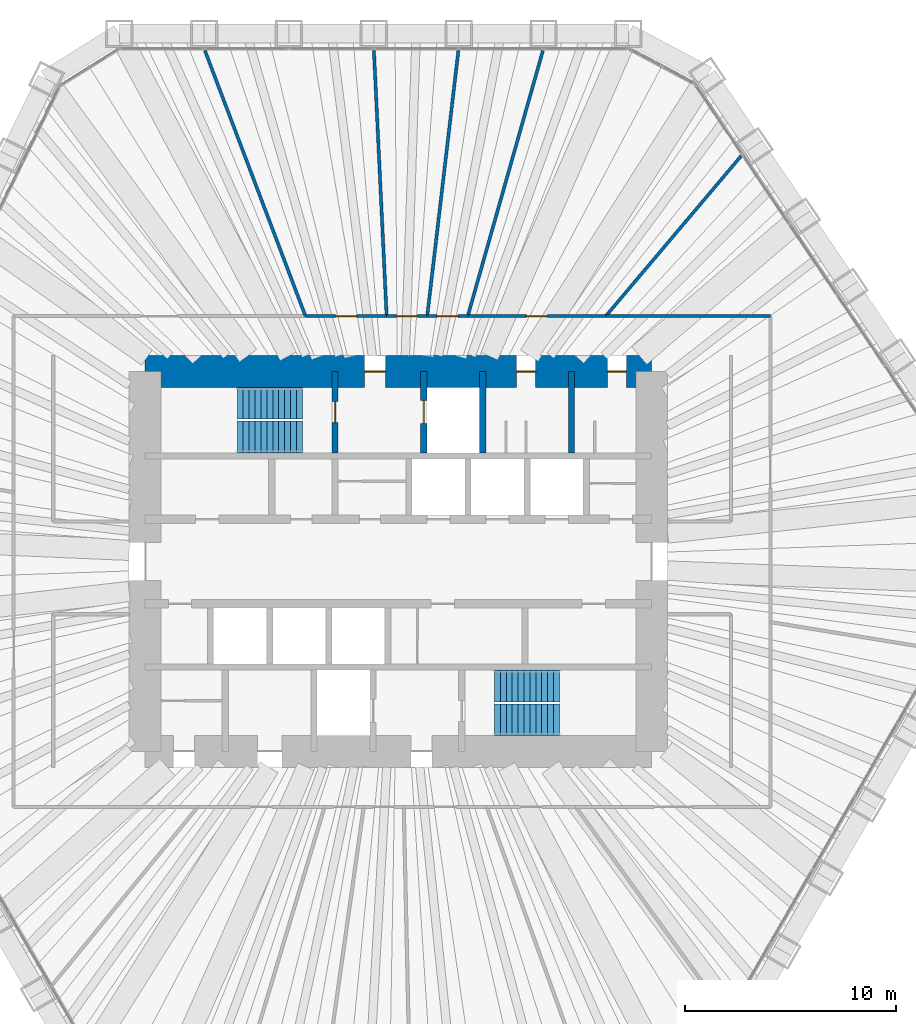
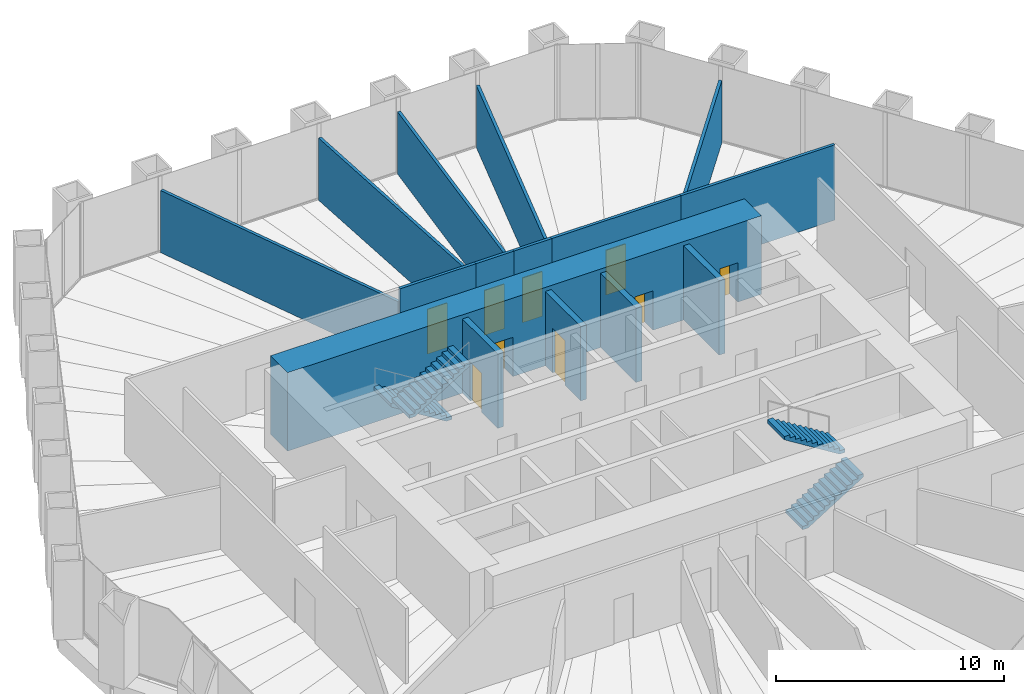
# One storey, part 11 of 12: 15 walls, 9 doors, 4 stair flights, 9 openings, 2 elements without a shape of their own.
"""IFC4 building model written with IfcOpenShell, lengths in metres."""

from ifc_helpers import new_model, si_unit, direction, frame, frame_2d, origin, place, context, subcontext, project, spatial, polyline, rectangle, outline, extrude, material, layer, layer_set, type_object, element, fill, aggregate, save


model = new_model("IFC4")

# Units and contexts
model_context = context("Model", 3, precision=1e-05, world=origin(), true_north=direction((0.0, 1.0)))
body_context = subcontext(model_context, "Body", "Model", "MODEL_VIEW")
ifc_project = project(units=[si_unit("LENGTHUNIT", "METRE"), si_unit("AREAUNIT", "SQUARE_METRE"), si_unit("VOLUMEUNIT", "CUBIC_METRE"), si_unit("PLANEANGLEUNIT", "RADIAN"), si_unit("MASSUNIT", "GRAM", prefix="KILO")], contexts=[model_context])

# Site, building, storey
site_placement = place(None, origin())
site = spatial("IfcSite", under=ifc_project, at=site_placement, CompositionType="ELEMENT")
building_placement = place(site_placement, origin())
building = spatial("IfcBuilding", under=site, at=building_placement, Name="Qingtian Harvest Tower", CompositionType="ELEMENT")
storey_placement = place(building_placement, frame((0.0, 0.0, 107.199951171875)))
storey = spatial("IfcBuildingStorey", under=building, at=storey_placement, Name="L21", CompositionType="ELEMENT", Elevation=107.199951171875)

# Wall, opening, door
ifc_material_1 = material(Name="Precast concrete shaft panel", Category="concrete")
ifc_layer_1 = layer(ifc_material_1, 0.300048828125)
ifc_layer_set_1 = layer_set([ifc_layer_1], Name="Core shaft partition SW1 300")
wall_type_1 = type_object("IfcWallType", Name="Core shaft partition SW1 300", PredefinedType="PARTITIONING", material=ifc_layer_set_1)
wall_1_placement = place(storey_placement, frame((-3.0, 5.14990234375, 0.0), z_axis=(0.0, 0.0, 1.0), x_axis=(0.0, 1.0, 0.0)))
wall_1 = element("IfcWall", 1, at=wall_1_placement, inside=storey, type_object=wall_type_1, Name="Core shaft partition XN1 L21", PredefinedType="PARTITIONING", context=body_context, shape_type="SweptSolid", body=[
    extrude(rectangle(XDim=3.85009765625, YDim=0.300048828125, at=frame_2d((1.925048828125, 0.0))), origin(), (0.0, 0.0, 1.0), 3.97998046875),
])
opening_1_placement = place(wall_1_placement, frame((1.425048828125, 0.0, 0.0)))
opening_1 = element("IfcOpeningElement", 2, at=opening_1_placement, cuts=wall_1, Name="Opening FD1", PredefinedType="OPENING", context=body_context, shape_type="SweptSolid", body=[
    extrude(rectangle(XDim=1.0, YDim=2.10009765625, at=frame_2d((0.5, 1.050048828125))), frame((0.0, 0.159912109375, 0.0), z_axis=(0.0, -1.0, 0.0), x_axis=(1.0, 0.0, 0.0)), (0.0, 0.0, 1.0), 0.320068359375),
])
ifc_material_2 = material(Name="Steel-faced door leaf", Category="steel")
door_type_1 = type_object("IfcDoorType", Name="Fire door FD1 single 1 HR", OperationType="SINGLE_SWING_LEFT", PredefinedType="DOOR", material=ifc_material_2)
door_1_placement = place(opening_1_placement, origin())
door_1 = element("IfcDoor", 3, at=door_1_placement, inside=storey, type_object=door_type_1, Name="S1 door L21", OperationType="SINGLE_SWING_RIGHT", OverallHeight=2.10009765625, OverallWidth=1.0, PredefinedType="DOOR", context=body_context, shape_type="SweptSolid", body=[
    extrude(rectangle(XDim=1.0, YDim=2.10009765625, at=frame_2d((0.5, 1.050048828125))), frame((0.0, 0.02490234375, 0.0), z_axis=(0.0, -1.0, 0.0), x_axis=(1.0, 0.0, 0.0)), (0.0, 0.0, 1.0), 0.050048828125),
])
fill(opening_1, door_1)

wall_2_placement = place(storey_placement, frame((1.199951171875, 5.14990234375, 0.0), z_axis=(0.0, 0.0, 1.0), x_axis=(0.0, 1.0, 0.0)))
wall_2 = element("IfcWall", 4, at=wall_2_placement, inside=storey, type_object=wall_type_1, Name="Core shaft partition XN2 L21", PredefinedType="PARTITIONING", context=body_context, shape_type="SweptSolid", body=[
    extrude(rectangle(XDim=3.85009765625, YDim=0.300048828125, at=frame_2d((1.925048828125, 0.0))), origin(), (0.0, 0.0, 1.0), 3.97998046875),
])
opening_2_placement = place(wall_2_placement, frame((1.375, 0.0, 0.0)))
opening_2 = element("IfcOpeningElement", 5, at=opening_2_placement, cuts=wall_2, Name="Opening LD1", PredefinedType="OPENING", context=body_context, shape_type="SweptSolid", body=[
    extrude(rectangle(XDim=1.10009765625, YDim=2.39990234375, at=frame_2d((0.550048828125, 1.199951171875))), frame((0.0, 0.159912109375, 0.0), z_axis=(0.0, -1.0, 0.0), x_axis=(1.0, 0.0, 0.0)), (0.0, 0.0, 1.0), 0.320068359375),
])
ifc_material_3 = material(Name="Stainless steel lift landing door", Category="steel")
door_type_2 = type_object("IfcDoorType", Name="Lift landing door LD1 1 HR", OperationType="DOUBLE_DOOR_SLIDING", PredefinedType="DOOR", material=ifc_material_3)
door_2_placement = place(opening_2_placement, origin())
door_2 = element("IfcDoor", 6, at=door_2_placement, inside=storey, type_object=door_type_2, Name="FL1 landing door L21", OperationType="DOUBLE_DOOR_SLIDING", OverallHeight=2.39990234375, OverallWidth=1.10009765625, PredefinedType="DOOR", context=body_context, shape_type="SweptSolid", body=[
    extrude(rectangle(XDim=1.10009765625, YDim=2.39990234375, at=frame_2d((0.550048828125, 1.199951171875))), frame((0.0, 0.02490234375, 0.0), z_axis=(0.0, -1.0, 0.0), x_axis=(1.0, 0.0, 0.0)), (0.0, 0.0, 1.0), 0.050048828125),
])
fill(opening_2, door_2)

# Walls
for number, where, z_axis, x_axis, name in (
    (7, (4.0, 5.14990234375, 0.0), (0.0, 0.0, 1.0), (0.0, 1.0, 0.0), "Core shaft partition XN3 L21"),
    (8, (8.199951171875, 5.14990234375, 0.0), (0.0, 0.0, 1.0), (0.0, 1.0, 0.0), "Core shaft partition XN4 L21"),
):
    element("IfcWall", number, at=place(storey_placement, frame(where, z_axis=z_axis, x_axis=x_axis)), inside=storey, type_object=wall_type_1, Name=name, PredefinedType="PARTITIONING", context=body_context, shape_type="SweptSolid", body=[
        extrude(rectangle(XDim=3.85009765625, YDim=0.300048828125, at=frame_2d((1.925048828125, 0.0))), origin(), (0.0, 0.0, 1.0), 3.97998046875),
    ])

# Wall, openings, doors
ifc_material_4 = material(Name="Concrete fc' 70 MPa", Category="concrete")
ifc_layer_2 = layer(ifc_material_4, 1.5)
ifc_layer_set_2 = layer_set([ifc_layer_2], Name="Core wall RC1 1500")
wall_type_2 = type_object("IfcWallType", Name="Core wall RC1 1500", PredefinedType="SHEAR", material=ifc_layer_set_2)
wall_3_placement = place(storey_placement, frame((-12.0, 9.0, 0.0), z_axis=(0.0, 0.0, 1.0), x_axis=(1.0, 0.0, 0.0)))
wall_3 = element("IfcWall", 9, at=wall_3_placement, inside=storey, type_object=wall_type_2, Name="Core wall CN L21", PredefinedType="SHEAR", context=body_context, shape_type="SweptSolid", body=[
    extrude(rectangle(XDim=24.0, YDim=1.5, at=frame_2d((12.0, 0.0))), origin(), (0.0, 0.0, 1.0), 4.199951171875),
])
opening_3_placement = place(wall_3_placement, frame((10.39990234375, 0.0, 0.0)))
opening_3 = element("IfcOpeningElement", 10, at=opening_3_placement, cuts=wall_3, Name="Opening FD1", PredefinedType="OPENING", context=body_context, shape_type="SweptSolid", body=[
    extrude(rectangle(XDim=1.0, YDim=2.10009765625, at=frame_2d((0.5, 1.050048828125))), frame((0.0, 0.760009765625, 0.0), z_axis=(0.0, -1.0, 0.0), x_axis=(1.0, 0.0, 0.0)), (0.0, 0.0, 1.0), 1.52001953125),
])
opening_4_placement = place(wall_3_placement, frame((17.60009765625, 0.0, 0.0)))
opening_4 = element("IfcOpeningElement", 11, at=opening_4_placement, cuts=wall_3, Name="Opening D1", PredefinedType="OPENING", context=body_context, shape_type="SweptSolid", body=[
    extrude(rectangle(XDim=0.89990234375, YDim=2.10009765625, at=frame_2d((0.449951171875, 1.050048828125))), frame((0.0, 0.760009765625, 0.0), z_axis=(0.0, -1.0, 0.0), x_axis=(1.0, 0.0, 0.0)), (0.0, 0.0, 1.0), 1.52001953125),
])
opening_5_placement = place(wall_3_placement, frame((21.89990234375, 0.0, 0.0)))
opening_5 = element("IfcOpeningElement", 12, at=opening_5_placement, cuts=wall_3, Name="Opening D1", PredefinedType="OPENING", context=body_context, shape_type="SweptSolid", body=[
    extrude(rectangle(XDim=0.89990234375, YDim=2.10009765625, at=frame_2d((0.449951171875, 1.050048828125))), frame((0.0, 0.760009765625, 0.0), z_axis=(0.0, -1.0, 0.0), x_axis=(1.0, 0.0, 0.0)), (0.0, 0.0, 1.0), 1.52001953125),
])
door_3_placement = place(opening_3_placement, origin())
door_3 = element("IfcDoor", 13, at=door_3_placement, inside=storey, type_object=door_type_1, Name="V1 door L21", OperationType="SINGLE_SWING_LEFT", OverallHeight=2.10009765625, OverallWidth=1.0, PredefinedType="DOOR", context=body_context, shape_type="SweptSolid", body=[
    extrude(rectangle(XDim=1.0, YDim=2.10009765625, at=frame_2d((0.5, 1.050048828125))), frame((0.0, 0.02490234375, 0.0), z_axis=(0.0, -1.0, 0.0), x_axis=(1.0, 0.0, 0.0)), (0.0, 0.0, 1.0), 0.050048828125),
])
fill(opening_3, door_3)
ifc_material_5 = material(Name="Laminated timber door leaf", Category="wood")
door_type_3 = type_object("IfcDoorType", Name="Toilet door D1 single", OperationType="SINGLE_SWING_LEFT", PredefinedType="DOOR", material=ifc_material_5)
door_4_placement = place(opening_4_placement, origin())
door_4 = element("IfcDoor", 14, at=door_4_placement, inside=storey, type_object=door_type_3, Name="WCM door L21", OperationType="SINGLE_SWING_RIGHT", OverallHeight=2.10009765625, OverallWidth=0.89990234375, PredefinedType="DOOR", context=body_context, shape_type="SweptSolid", body=[
    extrude(rectangle(XDim=0.89990234375, YDim=2.10009765625, at=frame_2d((0.449951171875, 1.050048828125))), frame((0.0, 0.02490234375, 0.0), z_axis=(0.0, -1.0, 0.0), x_axis=(1.0, 0.0, 0.0)), (0.0, 0.0, 1.0), 0.050048828125),
])
fill(opening_4, door_4)
door_5_placement = place(opening_5_placement, origin())
door_5 = element("IfcDoor", 15, at=door_5_placement, inside=storey, type_object=door_type_3, Name="WCF door L21", OperationType="SINGLE_SWING_RIGHT", OverallHeight=2.10009765625, OverallWidth=0.89990234375, PredefinedType="DOOR", context=body_context, shape_type="SweptSolid", body=[
    extrude(rectangle(XDim=0.89990234375, YDim=2.10009765625, at=frame_2d((0.449951171875, 1.050048828125))), frame((0.0, 0.02490234375, 0.0), z_axis=(0.0, -1.0, 0.0), x_axis=(1.0, 0.0, 0.0)), (0.0, 0.0, 1.0), 0.050048828125),
])
fill(opening_5, door_5)

# Wall
ifc_material_6 = material(Name="Gypsum board on steel studs", Category="steel")
ifc_layer_3 = layer(ifc_material_6, 0.14990234375)
ifc_layer_set_3 = layer_set([ifc_layer_3], Name="Partition PT1 150")
wall_type_3 = type_object("IfcWallType", Name="Partition PT1 150", PredefinedType="PARTITIONING", material=ifc_layer_set_3)
wall_4_placement = place(storey_placement, frame((-9.167236328125, 24.20654296875, 0.0), z_axis=(0.0, 0.0, 1.0), x_axis=(0.354156368181, -0.935186220427, 0.0)))
element("IfcWall", 16, at=wall_4_placement, inside=storey, type_object=wall_type_3, Name="Meeting room wall L21", PredefinedType="PARTITIONING", context=body_context, shape_type="SweptSolid", body=[
    extrude(rectangle(XDim=13.45361328125, YDim=0.14990234375, at=frame_2d((6.726806640625, 0.0))), origin(), (0.0, 0.0, 1.0), 3.330078125),
])

# Wall, opening, door
wall_5_placement = place(storey_placement, frame((-4.402587890625, 11.625, 0.0), z_axis=(0.0, 0.0, 1.0), x_axis=(1.0, 0.0, 0.0)))
wall_5 = element("IfcWall", 17, at=wall_5_placement, inside=storey, type_object=wall_type_3, Name="Meeting room wall L21", PredefinedType="PARTITIONING", context=body_context, shape_type="SweptSolid", body=[
    extrude(rectangle(XDim=3.845458984375, YDim=0.14990234375, at=frame_2d((1.9228515625, 0.0))), origin(), (0.0, 0.0, 1.0), 4.030029296875),
])
opening_6_placement = place(wall_5_placement, frame((1.422607421875, 0.0, 0.0)))
opening_6 = element("IfcOpeningElement", 18, at=opening_6_placement, cuts=wall_5, Name="Opening D2", PredefinedType="OPENING", context=body_context, shape_type="SweptSolid", body=[
    extrude(rectangle(XDim=1.0, YDim=2.39990234375, at=frame_2d((0.5, 1.199951171875))), frame((0.0, 0.0849609375, 0.0), z_axis=(0.0, -1.0, 0.0), x_axis=(1.0, 0.0, 0.0)), (0.0, 0.0, 1.0), 0.169921875),
])
ifc_material_7 = material(Name="Laminated timber door leaf", Category="wood")
door_type_4 = type_object("IfcDoorType", Name="Room door D2 single", OperationType="SINGLE_SWING_LEFT", PredefinedType="DOOR", material=ifc_material_7)
door_6_placement = place(opening_6_placement, origin())
door_6 = element("IfcDoor", 19, at=door_6_placement, inside=storey, type_object=door_type_4, Name="Meeting room door L21", OperationType="SINGLE_SWING_RIGHT", OverallHeight=2.39990234375, OverallWidth=1.0, PredefinedType="DOOR", context=body_context, shape_type="SweptSolid", body=[
    extrude(rectangle(XDim=1.0, YDim=2.39990234375, at=frame_2d((0.5, 1.199951171875))), frame((0.0, 0.02490234375, 0.0), z_axis=(0.0, -1.0, 0.0), x_axis=(1.0, 0.0, 0.0)), (0.0, 0.0, 1.0), 0.050048828125),
])
fill(opening_6, door_6)

# Wall
wall_6_placement = place(storey_placement, frame((-1.15966796875, 24.2001953125, 0.0), z_axis=(0.0, 0.0, 1.0), x_axis=(0.047859979164, -0.998854054602, 0.0)))
element("IfcWall", 20, at=wall_6_placement, inside=storey, type_object=wall_type_3, Name="Meeting room wall L21", PredefinedType="PARTITIONING", context=body_context, shape_type="SweptSolid", body=[
    extrude(rectangle(XDim=12.589599609375, YDim=0.14990234375, at=frame_2d((6.294921875, 0.0))), origin(), (0.0, 0.0, 1.0), 3.330078125),
])

# Wall, opening, door
wall_7_placement = place(storey_placement, frame((-0.55712890625, 11.625, 0.0), z_axis=(0.0, 0.0, 1.0), x_axis=(1.0, 0.0, 0.0)))
wall_7 = element("IfcWall", 21, at=wall_7_placement, inside=storey, type_object=wall_type_3, Name="Meeting room wall L21", PredefinedType="PARTITIONING", context=body_context, shape_type="SweptSolid", body=[
    extrude(rectangle(XDim=1.9228515625, YDim=0.14990234375, at=frame_2d((0.96142578125, 0.0))), origin(), (0.0, 0.0, 1.0), 4.030029296875),
])
opening_7_placement = place(wall_7_placement, frame((0.46142578125, 0.0, 0.0)))
opening_7 = element("IfcOpeningElement", 22, at=opening_7_placement, cuts=wall_7, Name="Opening D2", PredefinedType="OPENING", context=body_context, shape_type="SweptSolid", body=[
    extrude(rectangle(XDim=1.0, YDim=2.39990234375, at=frame_2d((0.5, 1.199951171875))), frame((0.0, 0.0849609375, 0.0), z_axis=(0.0, -1.0, 0.0), x_axis=(1.0, 0.0, 0.0)), (0.0, 0.0, 1.0), 0.169921875),
])
door_7_placement = place(opening_7_placement, origin())
door_7 = element("IfcDoor", 23, at=door_7_placement, inside=storey, type_object=door_type_4, Name="Meeting room door L21", OperationType="SINGLE_SWING_RIGHT", OverallHeight=2.39990234375, OverallWidth=1.0, PredefinedType="DOOR", context=body_context, shape_type="SweptSolid", body=[
    extrude(rectangle(XDim=1.0, YDim=2.39990234375, at=frame_2d((0.5, 1.199951171875))), frame((0.0, 0.02490234375, 0.0), z_axis=(0.0, -1.0, 0.0), x_axis=(1.0, 0.0, 0.0)), (0.0, 0.0, 1.0), 0.050048828125),
])
fill(opening_7, door_7)

# Wall
wall_8_placement = place(storey_placement, frame((2.843017578125, 24.20068359375, 0.0), z_axis=(0.0, 0.0, 1.0), x_axis=(-0.116670084723, -0.993170726175, 0.0)))
element("IfcWall", 24, at=wall_8_placement, inside=storey, type_object=wall_type_3, Name="Store room wall L21", PredefinedType="PARTITIONING", context=body_context, shape_type="SweptSolid", body=[
    extrude(rectangle(XDim=12.662109375, YDim=0.14990234375, at=frame_2d((6.3310546875, 0.0))), origin(), (0.0, 0.0, 1.0), 3.330078125),
])

# Wall, opening, door
wall_9_placement = place(storey_placement, frame((1.36572265625, 11.625, 0.0), z_axis=(0.0, 0.0, 1.0), x_axis=(1.0, 0.0, 0.0)))
wall_9 = element("IfcWall", 25, at=wall_9_placement, inside=storey, type_object=wall_type_3, Name="Store room wall L21", PredefinedType="PARTITIONING", context=body_context, shape_type="SweptSolid", body=[
    extrude(rectangle(XDim=1.922607421875, YDim=0.14990234375, at=frame_2d((0.96142578125, 0.0))), origin(), (0.0, 0.0, 1.0), 4.030029296875),
])
opening_8_placement = place(wall_9_placement, frame((0.46142578125, 0.0, 0.0)))
opening_8 = element("IfcOpeningElement", 26, at=opening_8_placement, cuts=wall_9, Name="Opening D2", PredefinedType="OPENING", context=body_context, shape_type="SweptSolid", body=[
    extrude(rectangle(XDim=1.0, YDim=2.39990234375, at=frame_2d((0.5, 1.199951171875))), frame((0.0, 0.0849609375, 0.0), z_axis=(0.0, -1.0, 0.0), x_axis=(1.0, 0.0, 0.0)), (0.0, 0.0, 1.0), 0.169921875),
])
door_8_placement = place(opening_8_placement, origin())
door_8 = element("IfcDoor", 27, at=door_8_placement, inside=storey, type_object=door_type_4, Name="Store room door L21", OperationType="SINGLE_SWING_RIGHT", OverallHeight=2.39990234375, OverallWidth=1.0, PredefinedType="DOOR", context=body_context, shape_type="SweptSolid", body=[
    extrude(rectangle(XDim=1.0, YDim=2.39990234375, at=frame_2d((0.5, 1.199951171875))), frame((0.0, 0.02490234375, 0.0), z_axis=(0.0, -1.0, 0.0), x_axis=(1.0, 0.0, 0.0)), (0.0, 0.0, 1.0), 0.050048828125),
])
fill(opening_8, door_8)

# Wall
wall_10_placement = place(storey_placement, frame((6.846435546875, 24.203857421875, 0.0), z_axis=(0.0, 0.0, 1.0), x_axis=(-0.272184461049, -0.962245093084, 0.0)))
element("IfcWall", 28, at=wall_10_placement, inside=storey, type_object=wall_type_3, Name="Pantry wall L21", PredefinedType="PARTITIONING", context=body_context, shape_type="SweptSolid", body=[
    extrude(rectangle(XDim=13.072509765625, YDim=0.14990234375, at=frame_2d((6.5361328125, 0.0))), origin(), (0.0, 0.0, 1.0), 3.330078125),
])

# Wall, opening, door
wall_11_placement = place(storey_placement, frame((3.288330078125, 11.625, 0.0), z_axis=(0.0, 0.0, 1.0), x_axis=(1.0, 0.0, 0.0)))
wall_11 = element("IfcWall", 29, at=wall_11_placement, inside=storey, type_object=wall_type_3, Name="Pantry wall L21", PredefinedType="PARTITIONING", context=body_context, shape_type="SweptSolid", body=[
    extrude(rectangle(XDim=6.53759765625, YDim=0.14990234375, at=frame_2d((3.268798828125, 0.0))), origin(), (0.0, 0.0, 1.0), 4.030029296875),
])
opening_9_placement = place(wall_11_placement, frame((2.768798828125, 0.0, 0.0)))
opening_9 = element("IfcOpeningElement", 30, at=opening_9_placement, cuts=wall_11, Name="Opening D2", PredefinedType="OPENING", context=body_context, shape_type="SweptSolid", body=[
    extrude(rectangle(XDim=1.0, YDim=2.39990234375, at=frame_2d((0.5, 1.199951171875))), frame((0.0, 0.0849609375, 0.0), z_axis=(0.0, -1.0, 0.0), x_axis=(1.0, 0.0, 0.0)), (0.0, 0.0, 1.0), 0.169921875),
])
door_9_placement = place(opening_9_placement, origin())
door_9 = element("IfcDoor", 31, at=door_9_placement, inside=storey, type_object=door_type_4, Name="Pantry door L21", OperationType="SINGLE_SWING_LEFT", OverallHeight=2.39990234375, OverallWidth=1.0, PredefinedType="DOOR", context=body_context, shape_type="SweptSolid", body=[
    extrude(rectangle(XDim=1.0, YDim=2.39990234375, at=frame_2d((0.5, 1.199951171875))), frame((0.0, 0.02490234375, 0.0), z_axis=(0.0, -1.0, 0.0), x_axis=(1.0, 0.0, 0.0)), (0.0, 0.0, 1.0), 0.050048828125),
])
fill(opening_9, door_9)

# Walls
wall_12_placement = place(storey_placement, frame((16.2373046875, 19.21044921875, 0.0), z_axis=(0.0, 0.0, 1.0), x_axis=(-0.645526723652, -0.763737683404, 0.0)))
element("IfcWall", 32, at=wall_12_placement, inside=storey, type_object=wall_type_3, Name="Office suite wall L21", PredefinedType="PARTITIONING", context=body_context, shape_type="SweptSolid", body=[
    extrude(rectangle(XDim=9.93212890625, YDim=0.14990234375, at=frame_2d((4.966064453125, 0.0))), origin(), (0.0, 0.0, 1.0), 3.330078125),
])
wall_13_placement = place(storey_placement, frame((9.825927734375, 11.625, 0.0), z_axis=(0.0, 0.0, 1.0), x_axis=(1.0, 0.0, 0.0)))
element("IfcWall", 33, at=wall_13_placement, inside=storey, type_object=wall_type_3, Name="Office suite wall L21", PredefinedType="PARTITIONING", context=body_context, shape_type="SweptSolid", body=[
    extrude(rectangle(XDim=7.799072265625, YDim=0.14990234375, at=frame_2d((3.8994140625, 0.0))), origin(), (0.0, 0.0, 1.0), 4.030029296875),
])

# Stair, stair flights
ifc_material_8 = material(Name="Concrete fc' 35 MPa", Category="concrete")
stair_type = type_object("IfcStairType", Name="Special stair ST3 4200", PredefinedType="HALF_TURN_STAIR", material=ifc_material_8)
stair_1_placement = place(storey_placement, origin())
stair_1 = element("IfcStair", 34, at=stair_1_placement, inside=storey, type_object=stair_type, Name="Special stair S1 L21", PredefinedType="HALF_TURN_STAIR")
ifc_material_9 = material(Name="Concrete fc' 35 MPa", Category="concrete")
stair_flight_type = type_object("IfcStairFlightType", Name="Stair flight SF3 4200", PredefinedType="STRAIGHT", material=ifc_material_9)
stair_flight_1_placement = place(storey_placement, frame((-4.550048828125, 7.5, 0.0), z_axis=(0.0, 0.0, 1.0), x_axis=(-1.0, 0.0, 0.0)))
stair_flight_1 = element("IfcStairFlight", 35, at=stair_flight_1_placement, type_object=stair_flight_type, Name="S1 flight 1", NumberOfRisers=12, NumberOfTreads=11, PredefinedType="STRAIGHT", RiserHeight=0.175, TreadLength=0.28, context=body_context, shape_type="SweptSolid", body=[
    extrude(outline(polyline([(0.0, 0.0), (0.0, 0.175048828125), (0.280029296875, 0.175048828125), (0.280029296875, 0.35009765625), (0.56005859375, 0.35009765625), (0.56005859375, 0.52490234375), (0.840087890625, 0.52490234375), (0.840087890625, 0.699951171875), (1.1201171875, 0.699951171875), (1.1201171875, 0.875), (1.39990234375, 0.875), (1.39990234375, 1.050048828125), (1.679931640625, 1.050048828125), (1.679931640625, 1.22509765625), (1.9599609375, 1.22509765625), (1.9599609375, 1.39990234375), (2.239990234375, 1.39990234375), (2.239990234375, 1.574951171875), (2.52001953125, 1.574951171875), (2.52001953125, 1.75), (2.800048828125, 1.75), (2.800048828125, 1.925048828125), (3.080078125, 1.925048828125), (3.080078125, 2.10009765625), (3.080078125, 1.748291015625), (0.28271484375, 0.0), (0.0, 0.0)])), frame((0.0, 0.75, 0.0), z_axis=(0.0, -1.0, 0.0), x_axis=(1.0, 0.0, 0.0)), (0.0, 0.0, 1.0), 1.5),
])
stair_flight_2_placement = place(storey_placement, frame((-7.6298828125, 5.89990234375, 2.10009765625), z_axis=(0.0, 0.0, 1.0), x_axis=(1.0, 0.0, 0.0)))
stair_flight_2 = element("IfcStairFlight", 36, at=stair_flight_2_placement, type_object=stair_flight_type, Name="S1 flight 2", NumberOfRisers=12, NumberOfTreads=11, PredefinedType="STRAIGHT", RiserHeight=0.175, TreadLength=0.28, context=body_context, shape_type="SweptSolid", body=[
    extrude(outline(polyline([(0.0, 0.0), (0.0, 0.175048828125), (0.280029296875, 0.175048828125), (0.280029296875, 0.35009765625), (0.56005859375, 0.35009765625), (0.56005859375, 0.52490234375), (0.840087890625, 0.52490234375), (0.840087890625, 0.699951171875), (1.1201171875, 0.699951171875), (1.1201171875, 0.875), (1.39990234375, 0.875), (1.39990234375, 1.050048828125), (1.679931640625, 1.050048828125), (1.679931640625, 1.22509765625), (1.9599609375, 1.22509765625), (1.9599609375, 1.39990234375), (2.239990234375, 1.39990234375), (2.239990234375, 1.574951171875), (2.52001953125, 1.574951171875), (2.52001953125, 1.75), (2.800048828125, 1.75), (2.800048828125, 1.925048828125), (3.080078125, 1.925048828125), (3.080078125, 2.10009765625), (3.080078125, 1.748291015625), (0.28271484375, 0.0), (0.0, 0.0)])), frame((0.0, 0.75, 0.0), z_axis=(0.0, -1.0, 0.0), x_axis=(1.0, 0.0, 0.0)), (0.0, 0.0, 1.0), 1.5),
])
aggregate(stair_1, [stair_flight_1, stair_flight_2])

stair_2_placement = place(storey_placement, origin())
stair_2 = element("IfcStair", 37, at=stair_2_placement, inside=storey, type_object=stair_type, Name="Special stair S2 L21", PredefinedType="HALF_TURN_STAIR")
stair_flight_3_placement = place(storey_placement, frame((4.550048828125, -7.5, 0.0), z_axis=(0.0, 0.0, 1.0), x_axis=(1.0, 0.0, 0.0)))
stair_flight_3 = element("IfcStairFlight", 38, at=stair_flight_3_placement, type_object=stair_flight_type, Name="S2 flight 1", NumberOfRisers=12, NumberOfTreads=11, PredefinedType="STRAIGHT", RiserHeight=0.175, TreadLength=0.28, context=body_context, shape_type="SweptSolid", body=[
    extrude(outline(polyline([(0.0, 0.0), (0.0, 0.175048828125), (0.280029296875, 0.175048828125), (0.280029296875, 0.35009765625), (0.56005859375, 0.35009765625), (0.56005859375, 0.52490234375), (0.840087890625, 0.52490234375), (0.840087890625, 0.699951171875), (1.1201171875, 0.699951171875), (1.1201171875, 0.875), (1.39990234375, 0.875), (1.39990234375, 1.050048828125), (1.679931640625, 1.050048828125), (1.679931640625, 1.22509765625), (1.9599609375, 1.22509765625), (1.9599609375, 1.39990234375), (2.239990234375, 1.39990234375), (2.239990234375, 1.574951171875), (2.52001953125, 1.574951171875), (2.52001953125, 1.75), (2.800048828125, 1.75), (2.800048828125, 1.925048828125), (3.080078125, 1.925048828125), (3.080078125, 2.10009765625), (3.080078125, 1.748291015625), (0.28271484375, 0.0), (0.0, 0.0)])), frame((0.0, 0.75, 0.0), z_axis=(0.0, -1.0, 0.0), x_axis=(1.0, 0.0, 0.0)), (0.0, 0.0, 1.0), 1.5),
])
stair_flight_4_placement = place(storey_placement, frame((7.6298828125, -5.89990234375, 2.10009765625), z_axis=(0.0, 0.0, 1.0), x_axis=(-1.0, 0.0, 0.0)))
stair_flight_4 = element("IfcStairFlight", 39, at=stair_flight_4_placement, type_object=stair_flight_type, Name="S2 flight 2", NumberOfRisers=12, NumberOfTreads=11, PredefinedType="STRAIGHT", RiserHeight=0.175, TreadLength=0.28, context=body_context, shape_type="SweptSolid", body=[
    extrude(outline(polyline([(0.0, 0.0), (0.0, 0.175048828125), (0.280029296875, 0.175048828125), (0.280029296875, 0.35009765625), (0.56005859375, 0.35009765625), (0.56005859375, 0.52490234375), (0.840087890625, 0.52490234375), (0.840087890625, 0.699951171875), (1.1201171875, 0.699951171875), (1.1201171875, 0.875), (1.39990234375, 0.875), (1.39990234375, 1.050048828125), (1.679931640625, 1.050048828125), (1.679931640625, 1.22509765625), (1.9599609375, 1.22509765625), (1.9599609375, 1.39990234375), (2.239990234375, 1.39990234375), (2.239990234375, 1.574951171875), (2.52001953125, 1.574951171875), (2.52001953125, 1.75), (2.800048828125, 1.75), (2.800048828125, 1.925048828125), (3.080078125, 1.925048828125), (3.080078125, 2.10009765625), (3.080078125, 1.748291015625), (0.28271484375, 0.0), (0.0, 0.0)])), frame((0.0, 0.75, 0.0), z_axis=(0.0, -1.0, 0.0), x_axis=(1.0, 0.0, 0.0)), (0.0, 0.0, 1.0), 1.5),
])
aggregate(stair_2, [stair_flight_3, stair_flight_4])

save(model, "model.ifc")
